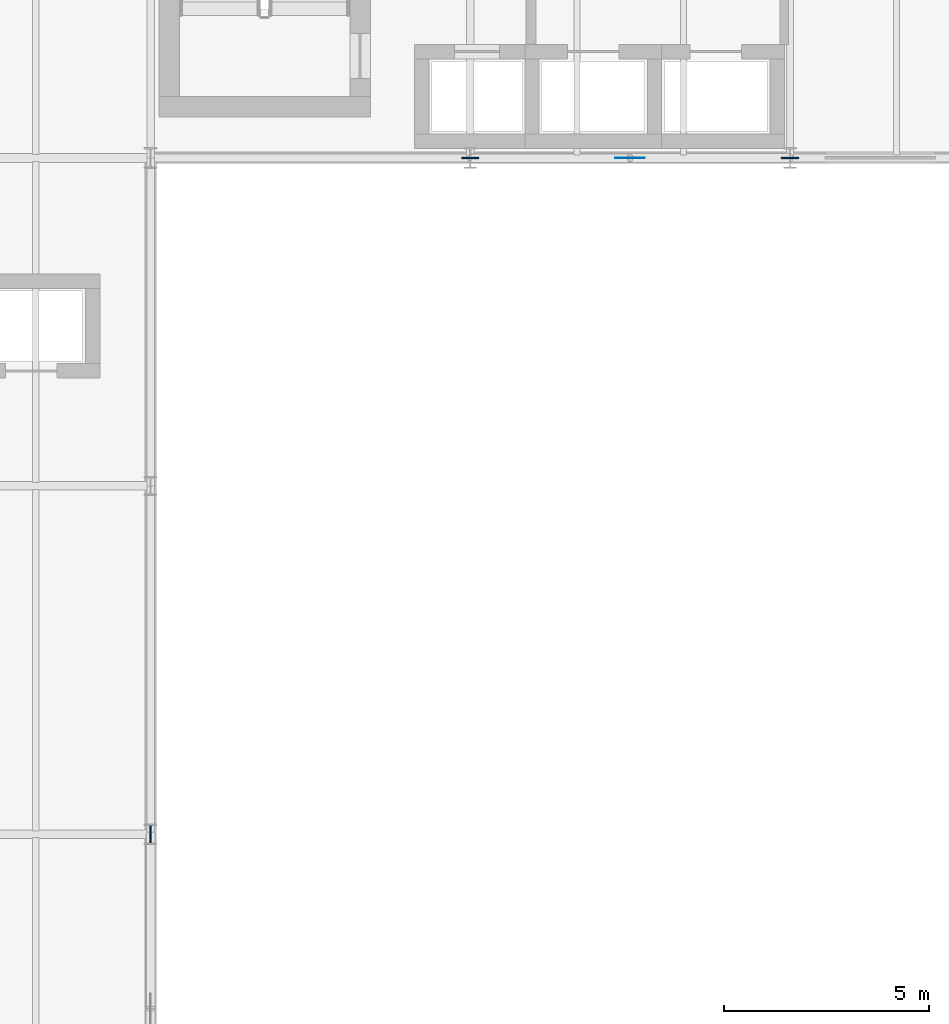
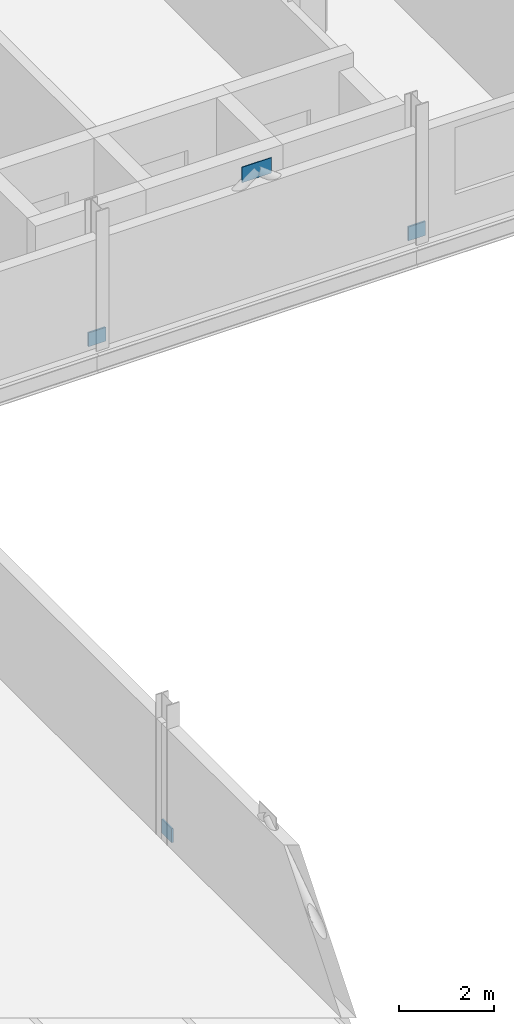
# One storey, part 19 of 36: 4 plates.
"""IFC4 building model written with IfcOpenShell, lengths in metres."""

from ifc_helpers import new_model, si_unit, direction, frame, origin, origin_2d, place, context, subcontext, project, spatial, rectangle, extrude, material, layer, layer_set, type_object, element, save


model = new_model("IFC4")

# Units and contexts
model_context = context("Model", 3, precision=1e-05, world=origin(), true_north=direction((0.0, 1.0)))
body_context = subcontext(model_context, "Body", "Model", "MODEL_VIEW")
ifc_project = project(units=[si_unit("LENGTHUNIT", "METRE"), si_unit("AREAUNIT", "SQUARE_METRE"), si_unit("VOLUMEUNIT", "CUBIC_METRE"), si_unit("PLANEANGLEUNIT", "RADIAN"), si_unit("MASSUNIT", "GRAM", prefix="KILO")], contexts=[model_context])

# Site, building, storey
site_placement = place(None, origin())
site = spatial("IfcSite", under=ifc_project, at=site_placement, CompositionType="ELEMENT")
building_placement = place(site_placement, origin())
building = spatial("IfcBuilding", under=site, at=building_placement, Name="Sefraquen Railside Congress Hotel", CompositionType="ELEMENT")
storey_placement = place(building_placement, frame((0.0, 0.0, 28.199951171875)))
storey = spatial("IfcBuildingStorey", under=building, at=storey_placement, Name="L06", CompositionType="ELEMENT", Elevation=28.199951171875)

# Plates
ifc_material = material(Name="Steel S355J2", Category="steel")
ifc_layer_1 = layer(ifc_material, 0.02001953125)
ifc_layer_set_1 = layer_set([ifc_layer_1], Name="Steel S355J2")
plate_type_1 = type_object("IfcPlateType", Name="TP-GUS-01", PredefinedType="SHEET", material=ifc_layer_set_1)
plate_placement = place(storey_placement, frame((36.89990234375, 96.0, 2.91015625), z_axis=(0.0, 0.0, 1.0), x_axis=(1.0, 0.0, 0.0)))
element("IfcPlate", 1, at=plate_placement, inside=storey, type_object=plate_type_1, Name="Chevron braced-frame apex gusset plate BF1 L06", PredefinedType="SHEET", context=body_context, shape_type="SweptSolid", body=[
    extrude(rectangle(XDim=0.719970703125, YDim=0.02001953125, at=origin_2d()), origin(), (0.0, 0.0, 1.0), 0.39990234375),
])
ifc_layer_2 = layer(ifc_material, 0.0400390625)
ifc_layer_set_2 = layer_set([ifc_layer_2], Name="Steel S355J2")
plate_type_2 = type_object("IfcPlateType", Name="TP-GUS-02", PredefinedType="SHEET", material=ifc_layer_set_2)
for number, where, z_axis, x_axis, name in (
    (2, (33.0, 96.0, 0.0), (0.0, 0.0, 1.0), (1.0, 0.0, 0.0), "Chevron braced-frame base gusset plate BF1-L L06"),
    (3, (40.800048828125, 96.0, 0.0), (0.0, 0.0, 1.0), (1.0, 0.0, 0.0), "Chevron braced-frame base gusset plate BF1-R L06"),
    (4, (25.199951171875, 79.5, 0.0), (0.0, 0.0, 1.0), (0.0, 1.0, 0.0), "Chevron braced-frame base gusset plate BF2-R L06"),
):
    element("IfcPlate", number, at=place(storey_placement, frame(where, z_axis=z_axis, x_axis=x_axis)), inside=storey, type_object=plate_type_2, Name=name, PredefinedType="SHEET", context=body_context, shape_type="SweptSolid", body=[
        extrude(rectangle(XDim=0.419921875, YDim=0.0400390625, at=origin_2d()), origin(), (0.0, 0.0, 1.0), 0.360107421875),
    ])

save(model, "model.ifc")
